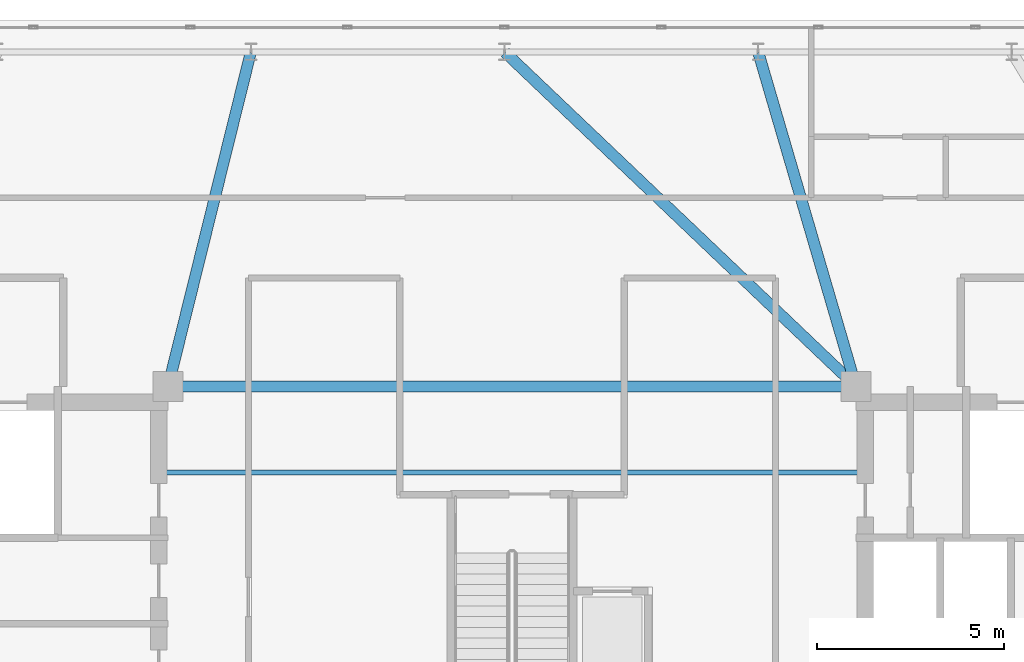
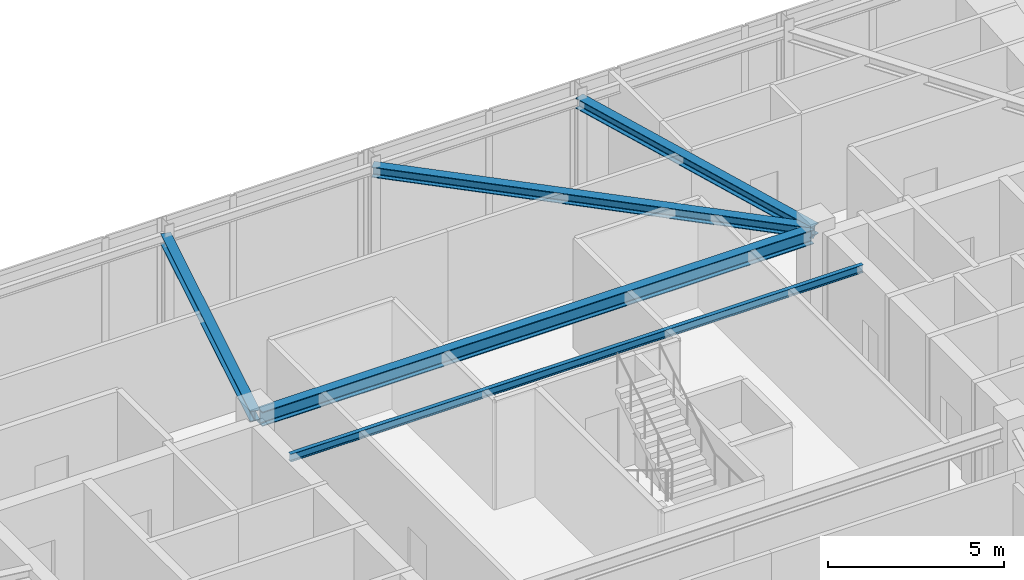
# One storey, part 13 of 27: 5 beams.
"""IFC4 building model written with IfcOpenShell, lengths in metres."""

from ifc_helpers import new_model, si_unit, direction, frame, origin, origin_2d, place, context, subcontext, project, spatial, i_section, extrude, material, material_profile, profile_set, type_object, element, save


model = new_model("IFC4")

# Units and contexts
model_context = context("Model", 3, precision=1e-05, world=origin(), true_north=direction((0.0, 1.0)))
body_context = subcontext(model_context, "Body", "Model", "MODEL_VIEW")
ifc_project = project(units=[si_unit("LENGTHUNIT", "METRE"), si_unit("AREAUNIT", "SQUARE_METRE"), si_unit("VOLUMEUNIT", "CUBIC_METRE"), si_unit("PLANEANGLEUNIT", "RADIAN"), si_unit("MASSUNIT", "GRAM", prefix="KILO")], contexts=[model_context])

# Site, building, storey
site_placement = place(None, origin())
site = spatial("IfcSite", under=ifc_project, at=site_placement, CompositionType="ELEMENT")
building_placement = place(site_placement, origin())
building = spatial("IfcBuilding", under=site, at=building_placement, Name="Qobustan Lattice House", CompositionType="ELEMENT")
storey_placement = place(building_placement, frame((0.0, 0.0, 266.0)))
storey = spatial("IfcBuildingStorey", under=building, at=storey_placement, Name="L75", CompositionType="ELEMENT", Elevation=266.0)

# Beams
ifc_material_1 = material(Name="Steel S355", Category="steel")
ifc_material_profile_1 = material_profile(ifc_material_1, i_section(OverallWidth=0.300048828125, OverallDepth=0.5, WebThickness=0.014404296875, FlangeThickness=0.028076171875, FilletRadius=0.027099609375, at=origin_2d()), Name="HEB500")
ifc_profile_set_1 = profile_set([ifc_material_profile_1], Name="Steel S355")
beam_type_1 = type_object("IfcBeamType", Name="BM-CG-HEB500", PredefinedType="USERDEFINED", material=ifc_profile_set_1)
beam_1_placement = place(storey_placement, frame((-9.050048828125, 5.60009765625, 3.550048828125), z_axis=(1.0, 0.0, 0.0), x_axis=(0.0, 1.0, 0.0)))
element("IfcBeam", 1, at=beam_1_placement, inside=storey, type_object=beam_type_1, Name="L75 core spine girder CG-CN", ObjectType="GIRDER", PredefinedType="USERDEFINED", context=body_context, shape_type="SweptSolid", body=[
    extrude(i_section(OverallWidth=0.300048828125, OverallDepth=0.5, WebThickness=0.014404296875, FlangeThickness=0.028076171875, FilletRadius=0.027099609375, at=origin_2d()), origin(), (0.0, 0.0, 1.0), 18.10009765625),
])
ifc_material_2 = material(Name="Steel S355", Category="steel")
ifc_material_profile_2 = material_profile(ifc_material_2, i_section(OverallWidth=0.300048828125, OverallDepth=0.360107421875, WebThickness=0.012451171875, FlangeThickness=0.0224609375, FilletRadius=0.027099609375, at=origin_2d()), Name="HEB360")
ifc_profile_set_2 = profile_set([ifc_material_profile_2], Name="Steel S355")
beam_type_2 = type_object("IfcBeamType", Name="BM-FLG-HEB360", PredefinedType="USERDEFINED", material=ifc_profile_set_2)
beam_2_placement = place(storey_placement, frame((-6.9892578125, 14.525634765625, 3.6201171875), z_axis=(-0.240430288899, -0.970666408289, 0.0), x_axis=(0.970666408289, -0.240430288899, 0.0)))
element("IfcBeam", 2, at=beam_2_placement, inside=storey, type_object=beam_type_2, Name="L75 primary floor girder RAD-N5", ObjectType="GIRDER", PredefinedType="USERDEFINED", context=body_context, shape_type="SweptSolid", body=[
    extrude(i_section(OverallWidth=0.300048828125, OverallDepth=0.360107421875, WebThickness=0.012451171875, FlangeThickness=0.0224609375, FilletRadius=0.027099609375, at=origin_2d()), origin(), (0.0, 0.0, 1.0), 9.17041015625),
])
beam_3_placement = place(storey_placement, frame((-0.181884765625, 14.53271484375, 3.6201171875), z_axis=(0.724228633775, -0.689559921995, 0.0), x_axis=(0.689559921995, 0.724228633775, 0.0)))
element("IfcBeam", 3, at=beam_3_placement, inside=storey, type_object=beam_type_2, Name="L75 primary floor girder RAD-N4", ObjectType="GIRDER", PredefinedType="USERDEFINED", context=body_context, shape_type="SweptSolid", body=[
    extrude(i_section(OverallWidth=0.300048828125, OverallDepth=0.360107421875, WebThickness=0.012451171875, FlangeThickness=0.0224609375, FilletRadius=0.027099609375, at=origin_2d()), origin(), (0.0, 0.0, 1.0), 12.92919921875),
])
beam_4_placement = place(storey_placement, frame((6.59033203125, 14.52587890625, 3.6201171875), z_axis=(0.28063676088, -0.959814048888, 0.0), x_axis=(0.959814048888, 0.28063676088, 0.0)))
element("IfcBeam", 4, at=beam_4_placement, inside=storey, type_object=beam_type_2, Name="L75 primary floor girder RAD-N3", ObjectType="GIRDER", PredefinedType="USERDEFINED", context=body_context, shape_type="SweptSolid", body=[
    extrude(i_section(OverallWidth=0.300048828125, OverallDepth=0.360107421875, WebThickness=0.012451171875, FlangeThickness=0.0224609375, FilletRadius=0.027099609375, at=origin_2d()), origin(), (0.0, 0.0, 1.0), 9.274658203125),
])
ifc_material_3 = material(Name="Steel S355", Category="steel")
ifc_material_profile_3 = material_profile(ifc_material_3, i_section(OverallWidth=0.135009765625, OverallDepth=0.27001953125, WebThickness=0.006591796875, FlangeThickness=0.01025390625, FilletRadius=0.014892578125, at=origin_2d()), Name="IPE270")
ifc_profile_set_3 = profile_set([ifc_material_profile_3], Name="Steel S355")
beam_type_3 = type_object("IfcBeamType", Name="BM-JST-IPE270", PredefinedType="JOIST", material=ifc_profile_set_3)
beam_5_placement = place(storey_placement, frame((-9.39990234375, 3.300048828125, 3.6650390625), z_axis=(1.0, 0.0, 0.0), x_axis=(0.0, 1.0, 0.0)))
element("IfcBeam", 5, at=beam_5_placement, inside=storey, type_object=beam_type_3, Name="L75 central span floor joist 2", PredefinedType="JOIST", context=body_context, shape_type="SweptSolid", body=[
    extrude(i_section(OverallWidth=0.135009765625, OverallDepth=0.27001953125, WebThickness=0.006591796875, FlangeThickness=0.01025390625, FilletRadius=0.014892578125, at=origin_2d()), origin(), (0.0, 0.0, 1.0), 18.7998046875),
])

save(model, "model.ifc")
